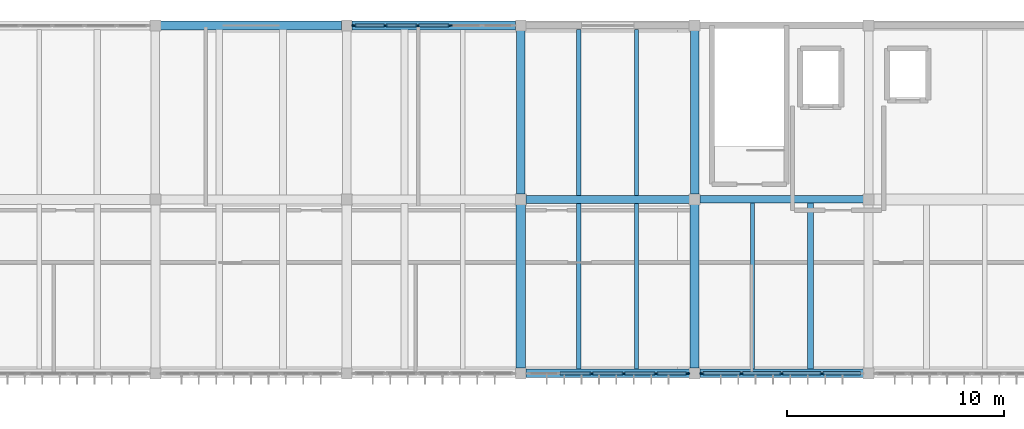
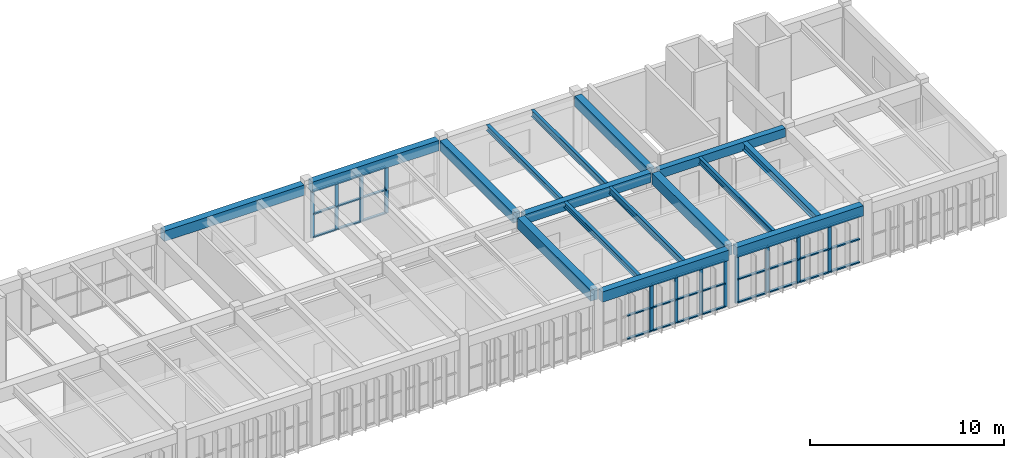
# One storey, part 5 of 12: 45 members, 16 beams, 3 elements without a shape of their own.
"""IFC4 building model written with IfcOpenShell, lengths in metres."""

from ifc_helpers import new_model, si_unit, direction, frame, origin, origin_2d, place, context, subcontext, project, spatial, rectangle, i_section, extrude, material, material_profile, profile_set, type_object, element, aggregate, save


model = new_model("IFC4")

# Units and contexts
model_context = context("Model", 3, precision=1e-05, world=origin(), true_north=direction((0.0, 1.0)))
body_context = subcontext(model_context, "Body", "Model", "MODEL_VIEW")
ifc_project = project(units=[si_unit("LENGTHUNIT", "METRE"), si_unit("AREAUNIT", "SQUARE_METRE"), si_unit("VOLUMEUNIT", "CUBIC_METRE"), si_unit("PLANEANGLEUNIT", "RADIAN"), si_unit("MASSUNIT", "GRAM", prefix="KILO")], contexts=[model_context])

# Site, building, storey
site_placement = place(None, origin())
site = spatial("IfcSite", under=ifc_project, at=site_placement, CompositionType="ELEMENT")
building_placement = place(site_placement, origin())
building = spatial("IfcBuilding", under=site, at=building_placement, Name="Tlaxcora Railside Police Headquarters", CompositionType="ELEMENT")
storey_placement = place(building_placement, frame((0.0, 0.0, 29.699951171875)))
storey = spatial("IfcBuildingStorey", under=building, at=storey_placement, Name="L07", CompositionType="ELEMENT", Elevation=29.699951171875)

# Curtain wall, members
ifc_material_1 = material(Name="Thermally broken low-E insulated glazing", Category="glass")
curtain_wall_type_1 = type_object("IfcCurtainWallType", Name="Unitised Curtain Wall Assembly CW-38", PredefinedType="NOTDEFINED", material=ifc_material_1)
curtain_wall_1_placement = place(storey_placement, origin())
curtain_wall_1 = element("IfcCurtainWall", 1, at=curtain_wall_1_placement, inside=storey, type_object=curtain_wall_type_1, Name="V5 L07 curtain wall 141", PredefinedType="NOTDEFINED")
ifc_material_2 = material(Name="Anodised aluminium framing", Category="aluminium")
ifc_material_profile_1 = material_profile(ifc_material_2, rectangle(XDim=0.074951171875, YDim=0.205078125, at=origin_2d()), Name="AL75X205")
ifc_profile_set_1 = profile_set([ifc_material_profile_1], Name="Anodised aluminium framing")
member_type_1 = type_object("IfcMemberType", Name="Curtain Wall Mullion CW-32", PredefinedType="MULLION", material=ifc_profile_set_1)
member_1_placement = place(storey_placement, frame((58.739990234375, 92.800048828125, 0.0), z_axis=(0.0, 0.0, 1.0), x_axis=(0.0, -1.0, 0.0)))
member_1 = element("IfcMember", 2, at=member_1_placement, type_object=member_type_1, Name="CW mullion 3", PredefinedType="MULLION", context=body_context, shape_type="SweptSolid", body=[
    extrude(rectangle(XDim=0.074951171875, YDim=0.205078125, at=origin_2d()), origin(), (0.0, 0.0, 1.0), 2.9599609375),
])
member_2_placement = place(storey_placement, frame((57.260009765625, 92.800048828125, 0.0), z_axis=(0.0, 0.0, 1.0), x_axis=(0.0, -1.0, 0.0)))
member_2 = element("IfcMember", 3, at=member_2_placement, type_object=member_type_1, Name="CW mullion 4", PredefinedType="MULLION", context=body_context, shape_type="SweptSolid", body=[
    extrude(rectangle(XDim=0.074951171875, YDim=0.205078125, at=origin_2d()), origin(), (0.0, 0.0, 1.0), 2.9599609375),
])
member_3_placement = place(storey_placement, frame((55.780029296875, 92.800048828125, 0.0), z_axis=(0.0, 0.0, 1.0), x_axis=(0.0, -1.0, 0.0)))
member_3 = element("IfcMember", 4, at=member_3_placement, type_object=member_type_1, Name="CW mullion 5", PredefinedType="MULLION", context=body_context, shape_type="SweptSolid", body=[
    extrude(rectangle(XDim=0.074951171875, YDim=0.205078125, at=origin_2d()), origin(), (0.0, 0.0, 1.0), 2.9599609375),
])
member_4_placement = place(storey_placement, frame((54.33740234375, 92.800048828125, 0.0), z_axis=(0.0, 0.0, 1.0), x_axis=(0.0, -1.0, 0.0)))
member_4 = element("IfcMember", 5, at=member_4_placement, type_object=member_type_1, Name="CW mullion 6", PredefinedType="MULLION", context=body_context, shape_type="SweptSolid", body=[
    extrude(rectangle(XDim=0.074951171875, YDim=0.205078125, at=origin_2d()), origin(), (0.0, 0.0, 1.0), 2.9599609375),
])

curtain_wall_type_2 = type_object("IfcCurtainWallType", Name="Unitised Curtain Wall Assembly CW-15", PredefinedType="NOTDEFINED", material=ifc_material_1)
curtain_wall_2_placement = place(storey_placement, origin())
curtain_wall_2 = element("IfcCurtainWall", 6, at=curtain_wall_2_placement, inside=storey, type_object=curtain_wall_type_2, Name="V5 L07 curtain wall 138", PredefinedType="NOTDEFINED")
ifc_material_profile_2 = material_profile(ifc_material_2, rectangle(XDim=0.074951171875, YDim=0.199951171875, at=origin_2d()), Name="AL75X200")
ifc_profile_set_2 = profile_set([ifc_material_profile_2], Name="Anodised aluminium framing")
member_type_2 = type_object("IfcMemberType", Name="Curtain Wall Mullion CW-58", PredefinedType="MULLION", material=ifc_profile_set_2)
member_5_placement = place(storey_placement, frame((65.260009765625, 76.800048828125, 0.0), z_axis=(0.0, 0.0, 1.0), x_axis=(0.0, 1.0, 0.0)))
member_5 = element("IfcMember", 7, at=member_5_placement, type_object=member_type_2, Name="CW mullion 3", PredefinedType="MULLION", context=body_context, shape_type="SweptSolid", body=[
    extrude(rectangle(XDim=0.074951171875, YDim=0.199951171875, at=origin_2d()), origin(), (0.0, 0.0, 1.0), 2.9599609375),
])
member_6_placement = place(storey_placement, frame((66.739990234375, 76.800048828125, 0.0), z_axis=(0.0, 0.0, 1.0), x_axis=(0.0, 1.0, 0.0)))
member_6 = element("IfcMember", 8, at=member_6_placement, type_object=member_type_2, Name="CW mullion 4", PredefinedType="MULLION", context=body_context, shape_type="SweptSolid", body=[
    extrude(rectangle(XDim=0.074951171875, YDim=0.199951171875, at=origin_2d()), origin(), (0.0, 0.0, 1.0), 2.9599609375),
])
member_7_placement = place(storey_placement, frame((68.219970703125, 76.800048828125, 0.0), z_axis=(0.0, 0.0, 1.0), x_axis=(0.0, 1.0, 0.0)))
member_7 = element("IfcMember", 9, at=member_7_placement, type_object=member_type_2, Name="CW mullion 5", PredefinedType="MULLION", context=body_context, shape_type="SweptSolid", body=[
    extrude(rectangle(XDim=0.074951171875, YDim=0.199951171875, at=origin_2d()), origin(), (0.0, 0.0, 1.0), 2.9599609375),
])
member_8_placement = place(storey_placement, frame((69.66259765625, 76.800048828125, 0.0), z_axis=(0.0, 0.0, 1.0), x_axis=(0.0, 1.0, 0.0)))
member_8 = element("IfcMember", 10, at=member_8_placement, type_object=member_type_2, Name="CW mullion 6", PredefinedType="MULLION", context=body_context, shape_type="SweptSolid", body=[
    extrude(rectangle(XDim=0.074951171875, YDim=0.199951171875, at=origin_2d()), origin(), (0.0, 0.0, 1.0), 2.9599609375),
])

curtain_wall_type_3 = type_object("IfcCurtainWallType", Name="Unitised Curtain Wall Assembly CW-83", PredefinedType="NOTDEFINED", material=ifc_material_1)
curtain_wall_3_placement = place(storey_placement, origin())
curtain_wall_3 = element("IfcCurtainWall", 11, at=curtain_wall_3_placement, inside=storey, type_object=curtain_wall_type_3, Name="V5 L07 curtain wall 139", PredefinedType="NOTDEFINED")
ifc_material_profile_3 = material_profile(ifc_material_2, rectangle(XDim=0.080078125, YDim=0.2099609375, at=origin_2d()), Name="AL80X210")
ifc_profile_set_3 = profile_set([ifc_material_profile_3], Name="Anodised aluminium framing")
member_type_3 = type_object("IfcMemberType", Name="Curtain Wall Mullion CW-76", PredefinedType="MULLION", material=ifc_profile_set_3)
member_9_placement = place(storey_placement, frame((70.340087890625, 76.800048828125, 0.0), z_axis=(0.0, 0.0, 1.0), x_axis=(0.0, 1.0, 0.0)))
member_9 = element("IfcMember", 12, at=member_9_placement, type_object=member_type_3, Name="CW mullion 1", PredefinedType="MULLION", context=body_context, shape_type="SweptSolid", body=[
    extrude(rectangle(XDim=0.080078125, YDim=0.2099609375, at=origin_2d()), origin(), (0.0, 0.0, 1.0), 2.9599609375),
])
member_10_placement = place(storey_placement, frame((72.14990234375, 76.800048828125, 0.0), z_axis=(0.0, 0.0, 1.0), x_axis=(0.0, 1.0, 0.0)))
member_10 = element("IfcMember", 13, at=member_10_placement, type_object=member_type_3, Name="CW mullion 2", PredefinedType="MULLION", context=body_context, shape_type="SweptSolid", body=[
    extrude(rectangle(XDim=0.080078125, YDim=0.2099609375, at=origin_2d()), origin(), (0.0, 0.0, 1.0), 2.9599609375),
])
member_11_placement = place(storey_placement, frame((74.0, 76.800048828125, 0.0), z_axis=(0.0, 0.0, 1.0), x_axis=(0.0, 1.0, 0.0)))
member_11 = element("IfcMember", 14, at=member_11_placement, type_object=member_type_3, Name="CW mullion 3", PredefinedType="MULLION", context=body_context, shape_type="SweptSolid", body=[
    extrude(rectangle(XDim=0.080078125, YDim=0.2099609375, at=origin_2d()), origin(), (0.0, 0.0, 1.0), 2.9599609375),
])
member_12_placement = place(storey_placement, frame((75.85009765625, 76.800048828125, 0.0), z_axis=(0.0, 0.0, 1.0), x_axis=(0.0, 1.0, 0.0)))
member_12 = element("IfcMember", 15, at=member_12_placement, type_object=member_type_3, Name="CW mullion 4", PredefinedType="MULLION", context=body_context, shape_type="SweptSolid", body=[
    extrude(rectangle(XDim=0.080078125, YDim=0.2099609375, at=origin_2d()), origin(), (0.0, 0.0, 1.0), 2.9599609375),
])

# Member
ifc_material_profile_4 = material_profile(ifc_material_2, rectangle(XDim=0.14990234375, YDim=0.074951171875, at=origin_2d()), Name="AL75X150")
ifc_profile_set_4 = profile_set([ifc_material_profile_4], Name="Anodised aluminium framing")
member_type_4 = type_object("IfcMemberType", Name="Curtain Wall Transom CW-28", PredefinedType="USERDEFINED", material=ifc_profile_set_4)
member_13_placement = place(storey_placement, frame((63.8173828125, 76.800048828125, 0.03759765625), z_axis=(1.0, 0.0, 0.0), x_axis=(0.0, 1.0, 0.0)))
member_13 = element("IfcMember", 16, at=member_13_placement, type_object=member_type_4, Name="CW transom 2.1", ObjectType="TRANSOM", PredefinedType="USERDEFINED", context=body_context, shape_type="SweptSolid", body=[
    extrude(rectangle(XDim=0.14990234375, YDim=0.074951171875, at=origin_2d()), origin(), (0.0, 0.0, 1.0), 1.405029296875),
])

member_14_placement = place(storey_placement, frame((63.8173828125, 76.800048828125, 1.489990234375), z_axis=(1.0, 0.0, 0.0), x_axis=(0.0, 1.0, 0.0)))
member_14 = element("IfcMember", 17, at=member_14_placement, type_object=member_type_4, Name="CW transom 2.2", ObjectType="TRANSOM", PredefinedType="USERDEFINED", context=body_context, shape_type="SweptSolid", body=[
    extrude(rectangle(XDim=0.14990234375, YDim=0.074951171875, at=origin_2d()), origin(), (0.0, 0.0, 1.0), 1.405029296875),
])

member_15_placement = place(storey_placement, frame((63.8173828125, 76.800048828125, 2.922607421875), z_axis=(1.0, 0.0, 0.0), x_axis=(0.0, 1.0, 0.0)))
member_15 = element("IfcMember", 18, at=member_15_placement, type_object=member_type_4, Name="CW transom 2.3", ObjectType="TRANSOM", PredefinedType="USERDEFINED", context=body_context, shape_type="SweptSolid", body=[
    extrude(rectangle(XDim=0.14990234375, YDim=0.074951171875, at=origin_2d()), origin(), (0.0, 0.0, 1.0), 1.405029296875),
])

member_16_placement = place(storey_placement, frame((65.297607421875, 76.800048828125, 0.03759765625), z_axis=(1.0, 0.0, 0.0), x_axis=(0.0, 1.0, 0.0)))
member_16 = element("IfcMember", 19, at=member_16_placement, type_object=member_type_4, Name="CW transom 3.1", ObjectType="TRANSOM", PredefinedType="USERDEFINED", context=body_context, shape_type="SweptSolid", body=[
    extrude(rectangle(XDim=0.14990234375, YDim=0.074951171875, at=origin_2d()), origin(), (0.0, 0.0, 1.0), 1.40478515625),
])

member_17_placement = place(storey_placement, frame((65.297607421875, 76.800048828125, 1.489990234375), z_axis=(1.0, 0.0, 0.0), x_axis=(0.0, 1.0, 0.0)))
member_17 = element("IfcMember", 20, at=member_17_placement, type_object=member_type_4, Name="CW transom 3.2", ObjectType="TRANSOM", PredefinedType="USERDEFINED", context=body_context, shape_type="SweptSolid", body=[
    extrude(rectangle(XDim=0.14990234375, YDim=0.074951171875, at=origin_2d()), origin(), (0.0, 0.0, 1.0), 1.40478515625),
])

member_18_placement = place(storey_placement, frame((65.297607421875, 76.800048828125, 2.922607421875), z_axis=(1.0, 0.0, 0.0), x_axis=(0.0, 1.0, 0.0)))
member_18 = element("IfcMember", 21, at=member_18_placement, type_object=member_type_4, Name="CW transom 3.3", ObjectType="TRANSOM", PredefinedType="USERDEFINED", context=body_context, shape_type="SweptSolid", body=[
    extrude(rectangle(XDim=0.14990234375, YDim=0.074951171875, at=origin_2d()), origin(), (0.0, 0.0, 1.0), 1.40478515625),
])

member_19_placement = place(storey_placement, frame((66.777587890625, 76.800048828125, 0.03759765625), z_axis=(1.0, 0.0, 0.0), x_axis=(0.0, 1.0, 0.0)))
member_19 = element("IfcMember", 22, at=member_19_placement, type_object=member_type_4, Name="CW transom 4.1", ObjectType="TRANSOM", PredefinedType="USERDEFINED", context=body_context, shape_type="SweptSolid", body=[
    extrude(rectangle(XDim=0.14990234375, YDim=0.074951171875, at=origin_2d()), origin(), (0.0, 0.0, 1.0), 1.405029296875),
])

member_20_placement = place(storey_placement, frame((66.777587890625, 76.800048828125, 1.489990234375), z_axis=(1.0, 0.0, 0.0), x_axis=(0.0, 1.0, 0.0)))
member_20 = element("IfcMember", 23, at=member_20_placement, type_object=member_type_4, Name="CW transom 4.2", ObjectType="TRANSOM", PredefinedType="USERDEFINED", context=body_context, shape_type="SweptSolid", body=[
    extrude(rectangle(XDim=0.14990234375, YDim=0.074951171875, at=origin_2d()), origin(), (0.0, 0.0, 1.0), 1.405029296875),
])

member_21_placement = place(storey_placement, frame((66.777587890625, 76.800048828125, 2.922607421875), z_axis=(1.0, 0.0, 0.0), x_axis=(0.0, 1.0, 0.0)))
member_21 = element("IfcMember", 24, at=member_21_placement, type_object=member_type_4, Name="CW transom 4.3", ObjectType="TRANSOM", PredefinedType="USERDEFINED", context=body_context, shape_type="SweptSolid", body=[
    extrude(rectangle(XDim=0.14990234375, YDim=0.074951171875, at=origin_2d()), origin(), (0.0, 0.0, 1.0), 1.405029296875),
])

member_22_placement = place(storey_placement, frame((68.257568359375, 76.800048828125, 0.03759765625), z_axis=(1.0, 0.0, 0.0), x_axis=(0.0, 1.0, 0.0)))
member_22 = element("IfcMember", 25, at=member_22_placement, type_object=member_type_4, Name="CW transom 5.1", ObjectType="TRANSOM", PredefinedType="USERDEFINED", context=body_context, shape_type="SweptSolid", body=[
    extrude(rectangle(XDim=0.14990234375, YDim=0.074951171875, at=origin_2d()), origin(), (0.0, 0.0, 1.0), 1.367431640625),
])

member_23_placement = place(storey_placement, frame((68.257568359375, 76.800048828125, 1.489990234375), z_axis=(1.0, 0.0, 0.0), x_axis=(0.0, 1.0, 0.0)))
member_23 = element("IfcMember", 26, at=member_23_placement, type_object=member_type_4, Name="CW transom 5.2", ObjectType="TRANSOM", PredefinedType="USERDEFINED", context=body_context, shape_type="SweptSolid", body=[
    extrude(rectangle(XDim=0.14990234375, YDim=0.074951171875, at=origin_2d()), origin(), (0.0, 0.0, 1.0), 1.367431640625),
])

member_24_placement = place(storey_placement, frame((68.257568359375, 76.800048828125, 2.922607421875), z_axis=(1.0, 0.0, 0.0), x_axis=(0.0, 1.0, 0.0)))
member_24 = element("IfcMember", 27, at=member_24_placement, type_object=member_type_4, Name="CW transom 5.3", ObjectType="TRANSOM", PredefinedType="USERDEFINED", context=body_context, shape_type="SweptSolid", body=[
    extrude(rectangle(XDim=0.14990234375, YDim=0.074951171875, at=origin_2d()), origin(), (0.0, 0.0, 1.0), 1.367431640625),
])

aggregate(curtain_wall_2, [member_5, member_6, member_7, member_8, member_13, member_14, member_15, member_16, member_17, member_18, member_19, member_20, member_21, member_22, member_23, member_24])

ifc_material_profile_5 = material_profile(ifc_material_2, rectangle(XDim=0.155029296875, YDim=0.074951171875, at=origin_2d()), Name="AL75X155")
ifc_profile_set_5 = profile_set([ifc_material_profile_5], Name="Anodised aluminium framing")
member_type_5 = type_object("IfcMemberType", Name="Curtain Wall Transom CW-30", PredefinedType="USERDEFINED", material=ifc_profile_set_5)
member_25_placement = place(storey_placement, frame((58.702392578125, 92.800048828125, 0.03759765625), z_axis=(-1.0, 0.0, 0.0), x_axis=(0.0, -1.0, 0.0)))
member_25 = element("IfcMember", 28, at=member_25_placement, type_object=member_type_5, Name="CW transom 3.1", ObjectType="TRANSOM", PredefinedType="USERDEFINED", context=body_context, shape_type="SweptSolid", body=[
    extrude(rectangle(XDim=0.155029296875, YDim=0.074951171875, at=origin_2d()), origin(), (0.0, 0.0, 1.0), 1.40478515625),
])

member_26_placement = place(storey_placement, frame((58.702392578125, 92.800048828125, 1.489990234375), z_axis=(-1.0, 0.0, 0.0), x_axis=(0.0, -1.0, 0.0)))
member_26 = element("IfcMember", 29, at=member_26_placement, type_object=member_type_5, Name="CW transom 3.2", ObjectType="TRANSOM", PredefinedType="USERDEFINED", context=body_context, shape_type="SweptSolid", body=[
    extrude(rectangle(XDim=0.155029296875, YDim=0.074951171875, at=origin_2d()), origin(), (0.0, 0.0, 1.0), 1.40478515625),
])

member_27_placement = place(storey_placement, frame((58.702392578125, 92.800048828125, 2.922607421875), z_axis=(-1.0, 0.0, 0.0), x_axis=(0.0, -1.0, 0.0)))
member_27 = element("IfcMember", 30, at=member_27_placement, type_object=member_type_5, Name="CW transom 3.3", ObjectType="TRANSOM", PredefinedType="USERDEFINED", context=body_context, shape_type="SweptSolid", body=[
    extrude(rectangle(XDim=0.155029296875, YDim=0.074951171875, at=origin_2d()), origin(), (0.0, 0.0, 1.0), 1.40478515625),
])

member_28_placement = place(storey_placement, frame((57.222412109375, 92.800048828125, 0.03759765625), z_axis=(-1.0, 0.0, 0.0), x_axis=(0.0, -1.0, 0.0)))
member_28 = element("IfcMember", 31, at=member_28_placement, type_object=member_type_5, Name="CW transom 4.1", ObjectType="TRANSOM", PredefinedType="USERDEFINED", context=body_context, shape_type="SweptSolid", body=[
    extrude(rectangle(XDim=0.155029296875, YDim=0.074951171875, at=origin_2d()), origin(), (0.0, 0.0, 1.0), 1.405029296875),
])

member_29_placement = place(storey_placement, frame((57.222412109375, 92.800048828125, 1.489990234375), z_axis=(-1.0, 0.0, 0.0), x_axis=(0.0, -1.0, 0.0)))
member_29 = element("IfcMember", 32, at=member_29_placement, type_object=member_type_5, Name="CW transom 4.2", ObjectType="TRANSOM", PredefinedType="USERDEFINED", context=body_context, shape_type="SweptSolid", body=[
    extrude(rectangle(XDim=0.155029296875, YDim=0.074951171875, at=origin_2d()), origin(), (0.0, 0.0, 1.0), 1.405029296875),
])

member_30_placement = place(storey_placement, frame((57.222412109375, 92.800048828125, 2.922607421875), z_axis=(-1.0, 0.0, 0.0), x_axis=(0.0, -1.0, 0.0)))
member_30 = element("IfcMember", 33, at=member_30_placement, type_object=member_type_5, Name="CW transom 4.3", ObjectType="TRANSOM", PredefinedType="USERDEFINED", context=body_context, shape_type="SweptSolid", body=[
    extrude(rectangle(XDim=0.155029296875, YDim=0.074951171875, at=origin_2d()), origin(), (0.0, 0.0, 1.0), 1.405029296875),
])

member_31_placement = place(storey_placement, frame((55.742431640625, 92.800048828125, 0.03759765625), z_axis=(-1.0, 0.0, 0.0), x_axis=(0.0, -1.0, 0.0)))
member_31 = element("IfcMember", 34, at=member_31_placement, type_object=member_type_5, Name="CW transom 5.1", ObjectType="TRANSOM", PredefinedType="USERDEFINED", context=body_context, shape_type="SweptSolid", body=[
    extrude(rectangle(XDim=0.155029296875, YDim=0.074951171875, at=origin_2d()), origin(), (0.0, 0.0, 1.0), 1.367431640625),
])

member_32_placement = place(storey_placement, frame((55.742431640625, 92.800048828125, 1.489990234375), z_axis=(-1.0, 0.0, 0.0), x_axis=(0.0, -1.0, 0.0)))
member_32 = element("IfcMember", 35, at=member_32_placement, type_object=member_type_5, Name="CW transom 5.2", ObjectType="TRANSOM", PredefinedType="USERDEFINED", context=body_context, shape_type="SweptSolid", body=[
    extrude(rectangle(XDim=0.155029296875, YDim=0.074951171875, at=origin_2d()), origin(), (0.0, 0.0, 1.0), 1.367431640625),
])

member_33_placement = place(storey_placement, frame((55.742431640625, 92.800048828125, 2.922607421875), z_axis=(-1.0, 0.0, 0.0), x_axis=(0.0, -1.0, 0.0)))
member_33 = element("IfcMember", 36, at=member_33_placement, type_object=member_type_5, Name="CW transom 5.3", ObjectType="TRANSOM", PredefinedType="USERDEFINED", context=body_context, shape_type="SweptSolid", body=[
    extrude(rectangle(XDim=0.155029296875, YDim=0.074951171875, at=origin_2d()), origin(), (0.0, 0.0, 1.0), 1.367431640625),
])

aggregate(curtain_wall_1, [member_1, member_2, member_3, member_4, member_25, member_26, member_27, member_28, member_29, member_30, member_31, member_32, member_33])

ifc_material_profile_6 = material_profile(ifc_material_2, rectangle(XDim=0.159912109375, YDim=0.080078125, at=origin_2d()), Name="AL80X160")
ifc_profile_set_6 = profile_set([ifc_material_profile_6], Name="Anodised aluminium framing")
member_type_6 = type_object("IfcMemberType", Name="Curtain Wall Transom CW-82", PredefinedType="USERDEFINED", material=ifc_profile_set_6)
member_34_placement = place(storey_placement, frame((70.3798828125, 76.800048828125, 0.0400390625), z_axis=(1.0, 0.0, 0.0), x_axis=(0.0, 1.0, 0.0)))
member_34 = element("IfcMember", 37, at=member_34_placement, type_object=member_type_6, Name="CW transom 1.1", ObjectType="TRANSOM", PredefinedType="USERDEFINED", context=body_context, shape_type="SweptSolid", body=[
    extrude(rectangle(XDim=0.159912109375, YDim=0.080078125, at=origin_2d()), origin(), (0.0, 0.0, 1.0), 1.730224609375),
])

member_35_placement = place(storey_placement, frame((70.3798828125, 76.800048828125, 1.489990234375), z_axis=(1.0, 0.0, 0.0), x_axis=(0.0, 1.0, 0.0)))
member_35 = element("IfcMember", 38, at=member_35_placement, type_object=member_type_6, Name="CW transom 1.2", ObjectType="TRANSOM", PredefinedType="USERDEFINED", context=body_context, shape_type="SweptSolid", body=[
    extrude(rectangle(XDim=0.159912109375, YDim=0.080078125, at=origin_2d()), origin(), (0.0, 0.0, 1.0), 1.730224609375),
])

member_36_placement = place(storey_placement, frame((70.3798828125, 76.800048828125, 2.920166015625), z_axis=(1.0, 0.0, 0.0), x_axis=(0.0, 1.0, 0.0)))
member_36 = element("IfcMember", 39, at=member_36_placement, type_object=member_type_6, Name="CW transom 1.3", ObjectType="TRANSOM", PredefinedType="USERDEFINED", context=body_context, shape_type="SweptSolid", body=[
    extrude(rectangle(XDim=0.159912109375, YDim=0.080078125, at=origin_2d()), origin(), (0.0, 0.0, 1.0), 1.730224609375),
])

member_37_placement = place(storey_placement, frame((72.18994140625, 76.800048828125, 0.0400390625), z_axis=(1.0, 0.0, 0.0), x_axis=(0.0, 1.0, 0.0)))
member_37 = element("IfcMember", 40, at=member_37_placement, type_object=member_type_6, Name="CW transom 2.1", ObjectType="TRANSOM", PredefinedType="USERDEFINED", context=body_context, shape_type="SweptSolid", body=[
    extrude(rectangle(XDim=0.159912109375, YDim=0.080078125, at=origin_2d()), origin(), (0.0, 0.0, 1.0), 1.77001953125),
])

member_38_placement = place(storey_placement, frame((72.18994140625, 76.800048828125, 1.489990234375), z_axis=(1.0, 0.0, 0.0), x_axis=(0.0, 1.0, 0.0)))
member_38 = element("IfcMember", 41, at=member_38_placement, type_object=member_type_6, Name="CW transom 2.2", ObjectType="TRANSOM", PredefinedType="USERDEFINED", context=body_context, shape_type="SweptSolid", body=[
    extrude(rectangle(XDim=0.159912109375, YDim=0.080078125, at=origin_2d()), origin(), (0.0, 0.0, 1.0), 1.77001953125),
])

member_39_placement = place(storey_placement, frame((72.18994140625, 76.800048828125, 2.920166015625), z_axis=(1.0, 0.0, 0.0), x_axis=(0.0, 1.0, 0.0)))
member_39 = element("IfcMember", 42, at=member_39_placement, type_object=member_type_6, Name="CW transom 2.3", ObjectType="TRANSOM", PredefinedType="USERDEFINED", context=body_context, shape_type="SweptSolid", body=[
    extrude(rectangle(XDim=0.159912109375, YDim=0.080078125, at=origin_2d()), origin(), (0.0, 0.0, 1.0), 1.77001953125),
])

member_40_placement = place(storey_placement, frame((74.0400390625, 76.800048828125, 0.0400390625), z_axis=(1.0, 0.0, 0.0), x_axis=(0.0, 1.0, 0.0)))
member_40 = element("IfcMember", 43, at=member_40_placement, type_object=member_type_6, Name="CW transom 3.1", ObjectType="TRANSOM", PredefinedType="USERDEFINED", context=body_context, shape_type="SweptSolid", body=[
    extrude(rectangle(XDim=0.159912109375, YDim=0.080078125, at=origin_2d()), origin(), (0.0, 0.0, 1.0), 1.77001953125),
])

member_41_placement = place(storey_placement, frame((74.0400390625, 76.800048828125, 1.489990234375), z_axis=(1.0, 0.0, 0.0), x_axis=(0.0, 1.0, 0.0)))
member_41 = element("IfcMember", 44, at=member_41_placement, type_object=member_type_6, Name="CW transom 3.2", ObjectType="TRANSOM", PredefinedType="USERDEFINED", context=body_context, shape_type="SweptSolid", body=[
    extrude(rectangle(XDim=0.159912109375, YDim=0.080078125, at=origin_2d()), origin(), (0.0, 0.0, 1.0), 1.77001953125),
])

member_42_placement = place(storey_placement, frame((74.0400390625, 76.800048828125, 2.920166015625), z_axis=(1.0, 0.0, 0.0), x_axis=(0.0, 1.0, 0.0)))
member_42 = element("IfcMember", 45, at=member_42_placement, type_object=member_type_6, Name="CW transom 3.3", ObjectType="TRANSOM", PredefinedType="USERDEFINED", context=body_context, shape_type="SweptSolid", body=[
    extrude(rectangle(XDim=0.159912109375, YDim=0.080078125, at=origin_2d()), origin(), (0.0, 0.0, 1.0), 1.77001953125),
])

member_43_placement = place(storey_placement, frame((75.889892578125, 76.800048828125, 0.0400390625), z_axis=(1.0, 0.0, 0.0), x_axis=(0.0, 1.0, 0.0)))
member_43 = element("IfcMember", 46, at=member_43_placement, type_object=member_type_6, Name="CW transom 4.1", ObjectType="TRANSOM", PredefinedType="USERDEFINED", context=body_context, shape_type="SweptSolid", body=[
    extrude(rectangle(XDim=0.159912109375, YDim=0.080078125, at=origin_2d()), origin(), (0.0, 0.0, 1.0), 1.730224609375),
])

member_44_placement = place(storey_placement, frame((75.889892578125, 76.800048828125, 1.489990234375), z_axis=(1.0, 0.0, 0.0), x_axis=(0.0, 1.0, 0.0)))
member_44 = element("IfcMember", 47, at=member_44_placement, type_object=member_type_6, Name="CW transom 4.2", ObjectType="TRANSOM", PredefinedType="USERDEFINED", context=body_context, shape_type="SweptSolid", body=[
    extrude(rectangle(XDim=0.159912109375, YDim=0.080078125, at=origin_2d()), origin(), (0.0, 0.0, 1.0), 1.730224609375),
])

member_45_placement = place(storey_placement, frame((75.889892578125, 76.800048828125, 2.920166015625), z_axis=(1.0, 0.0, 0.0), x_axis=(0.0, 1.0, 0.0)))
member_45 = element("IfcMember", 48, at=member_45_placement, type_object=member_type_6, Name="CW transom 4.3", ObjectType="TRANSOM", PredefinedType="USERDEFINED", context=body_context, shape_type="SweptSolid", body=[
    extrude(rectangle(XDim=0.159912109375, YDim=0.080078125, at=origin_2d()), origin(), (0.0, 0.0, 1.0), 1.730224609375),
])

aggregate(curtain_wall_3, [member_9, member_10, member_11, member_12, member_34, member_35, member_36, member_37, member_38, member_39, member_40, member_41, member_42, member_43, member_44, member_45])

# Beams
ifc_material_3 = material(Name="Concrete C40/50", Category="concrete")
ifc_material_profile_7 = material_profile(ifc_material_3, rectangle(XDim=0.39990234375, YDim=0.64990234375, at=origin_2d()), Name="RC400X650")
ifc_profile_set_7 = profile_set([ifc_material_profile_7], Name="Concrete C40/50")
beam_type_1 = type_object("IfcBeamType", Name="Perimeter Spandrel Beam BM-46", PredefinedType="SPANDREL", material=ifc_profile_set_7)
for number, where, z_axis, x_axis, name in (
    (49, (62.239990234375, 76.800048828125, 3.304931640625), (1.0, 0.0, 0.0), (0.0, 1.0, 0.0), "V5 L07 X-girder Y=76.8"),
    (50, (70.239990234375, 76.800048828125, 3.304931640625), (1.0, 0.0, 0.0), (0.0, 1.0, 0.0), "V5 L07 X-girder Y=76.8"),
):
    element("IfcBeam", number, at=place(storey_placement, frame(where, z_axis=z_axis, x_axis=x_axis)), inside=storey, type_object=beam_type_1, Name=name, PredefinedType="SPANDREL", context=body_context, shape_type="SweptSolid", body=[
        extrude(rectangle(XDim=0.39990234375, YDim=0.64990234375, at=origin_2d()), origin(), (0.0, 0.0, 1.0), 7.52001953125),
    ])
beam_1_placement = place(storey_placement, frame((45.43994140625, 92.800048828125, 3.304931640625), z_axis=(1.0, 0.0, 0.0), x_axis=(0.0, 1.0, 0.0)))
element("IfcBeam", 51, at=beam_1_placement, inside=storey, type_object=beam_type_1, Name="V5 L07 X-girder Y=92.8", PredefinedType="SPANDREL", context=body_context, shape_type="SweptSolid", body=[
    extrude(rectangle(XDim=0.39990234375, YDim=0.64990234375, at=origin_2d()), origin(), (0.0, 0.0, 1.0), 8.320068359375),
])
beam_2_placement = place(storey_placement, frame((54.239990234375, 92.800048828125, 3.304931640625), z_axis=(1.0, 0.0, 0.0), x_axis=(0.0, 1.0, 0.0)))
element("IfcBeam", 52, at=beam_2_placement, inside=storey, type_object=beam_type_1, Name="V5 L07 X-girder Y=92.8", PredefinedType="SPANDREL", context=body_context, shape_type="SweptSolid", body=[
    extrude(rectangle(XDim=0.39990234375, YDim=0.64990234375, at=origin_2d()), origin(), (0.0, 0.0, 1.0), 7.52001953125),
])
ifc_material_profile_8 = material_profile(ifc_material_3, rectangle(XDim=0.3798828125, YDim=0.60009765625, at=origin_2d()), Name="RC380X600")
ifc_profile_set_8 = profile_set([ifc_material_profile_8], Name="Concrete C40/50")
beam_type_2 = type_object("IfcBeamType", Name="Primary Frame Girder BM-22", PredefinedType="BEAM", material=ifc_profile_set_8)
beam_3_placement = place(storey_placement, frame((62.239990234375, 84.800048828125, 3.330078125), z_axis=(1.0, 0.0, 0.0), x_axis=(0.0, 1.0, 0.0)))
element("IfcBeam", 53, at=beam_3_placement, inside=storey, type_object=beam_type_2, Name="V5 L07 X-girder Y=84.8", PredefinedType="BEAM", context=body_context, shape_type="SweptSolid", body=[
    extrude(rectangle(XDim=0.3798828125, YDim=0.60009765625, at=origin_2d()), origin(), (0.0, 0.0, 1.0), 7.52001953125),
])
ifc_material_profile_9 = material_profile(ifc_material_3, rectangle(XDim=0.419921875, YDim=0.699951171875, at=origin_2d()), Name="RC420X700")
ifc_profile_set_9 = profile_set([ifc_material_profile_9], Name="Concrete C40/50")
beam_type_3 = type_object("IfcBeamType", Name="Primary Frame Girder BM-35", PredefinedType="BEAM", material=ifc_profile_set_9)
for number, where, z_axis, x_axis, name in (
    (54, (62.0, 77.0400390625, 3.280029296875), (0.0, 1.0, 0.0), (-1.0, 0.0, 0.0), "V5 L07 Y-girder X=62.0"),
    (55, (70.0, 77.0400390625, 3.280029296875), (0.0, 1.0, 0.0), (-1.0, 0.0, 0.0), "V5 L07 Y-girder X=70.0"),
):
    element("IfcBeam", number, at=place(storey_placement, frame(where, z_axis=z_axis, x_axis=x_axis)), inside=storey, type_object=beam_type_3, Name=name, PredefinedType="BEAM", context=body_context, shape_type="SweptSolid", body=[
        extrude(rectangle(XDim=0.419921875, YDim=0.699951171875, at=origin_2d()), origin(), (0.0, 0.0, 1.0), 7.52001953125),
    ])
ifc_material_profile_10 = material_profile(ifc_material_3, rectangle(XDim=0.35009765625, YDim=0.550048828125, at=origin_2d()), Name="RC350X550")
ifc_profile_set_10 = profile_set([ifc_material_profile_10], Name="Concrete C40/50")
beam_type_4 = type_object("IfcBeamType", Name="Primary Frame Girder BM-39", PredefinedType="BEAM", material=ifc_profile_set_10)
beam_4_placement = place(storey_placement, frame((70.239990234375, 84.800048828125, 3.35498046875), z_axis=(1.0, 0.0, 0.0), x_axis=(0.0, 1.0, 0.0)))
element("IfcBeam", 56, at=beam_4_placement, inside=storey, type_object=beam_type_4, Name="V5 L07 X-girder Y=84.8", PredefinedType="BEAM", context=body_context, shape_type="SweptSolid", body=[
    extrude(rectangle(XDim=0.35009765625, YDim=0.550048828125, at=origin_2d()), origin(), (0.0, 0.0, 1.0), 7.52001953125),
])
ifc_material_profile_11 = material_profile(ifc_material_3, rectangle(XDim=0.39990234375, YDim=0.64990234375, at=origin_2d()), Name="RC400X650")
ifc_profile_set_11 = profile_set([ifc_material_profile_11], Name="Concrete C40/50")
beam_type_5 = type_object("IfcBeamType", Name="Primary Frame Girder BM-41", PredefinedType="BEAM", material=ifc_profile_set_11)
for number, where, z_axis, x_axis, name in (
    (57, (62.0, 85.0400390625, 3.304931640625), (0.0, 1.0, 0.0), (-1.0, 0.0, 0.0), "V5 L07 Y-girder X=62.0"),
    (58, (70.0, 85.0400390625, 3.304931640625), (0.0, 1.0, 0.0), (-1.0, 0.0, 0.0), "V5 L07 Y-girder X=70.0"),
):
    element("IfcBeam", number, at=place(storey_placement, frame(where, z_axis=z_axis, x_axis=x_axis)), inside=storey, type_object=beam_type_5, Name=name, PredefinedType="BEAM", context=body_context, shape_type="SweptSolid", body=[
        extrude(rectangle(XDim=0.39990234375, YDim=0.64990234375, at=origin_2d()), origin(), (0.0, 0.0, 1.0), 7.52001953125),
    ])
ifc_material_4 = material(Name="Steel ASTM A992 Grade 50", Category="steel")
ifc_material_profile_12 = material_profile(ifc_material_4, i_section(OverallWidth=0.280029296875, OverallDepth=0.4619140625, WebThickness=0.0107421875, FlangeThickness=0.017333984375, at=origin_2d()), Name="W18X76")
ifc_profile_set_12 = profile_set([ifc_material_profile_12], Name="Steel ASTM A992 Grade 50")
beam_type_6 = type_object("IfcBeamType", Name="Secondary Floor Joist BM-44", PredefinedType="JOIST", material=ifc_profile_set_12)
beam_5_placement = place(storey_placement, frame((75.333251953125, 76.991943359375, 3.399169921875), z_axis=(0.0, 1.0, 0.0), x_axis=(-1.0, 0.0, 0.0)))
element("IfcBeam", 59, at=beam_5_placement, inside=storey, type_object=beam_type_6, Name="V5 L07 floor joist X=75.33", PredefinedType="JOIST", context=body_context, shape_type="SweptSolid", body=[
    extrude(i_section(OverallWidth=0.280029296875, OverallDepth=0.4619140625, WebThickness=0.0107421875, FlangeThickness=0.017333984375, at=origin_2d()), origin(), (0.0, 0.0, 1.0), 7.64111328125),
])
ifc_material_profile_13 = material_profile(ifc_material_4, i_section(OverallWidth=0.2041015625, OverallDepth=0.35009765625, WebThickness=0.008544921875, FlangeThickness=0.01513671875, at=origin_2d()), Name="W14X48")
ifc_profile_set_13 = profile_set([ifc_material_profile_13], Name="Steel ASTM A992 Grade 50")
beam_type_7 = type_object("IfcBeamType", Name="Secondary Floor Joist BM-65", PredefinedType="JOIST", material=ifc_profile_set_13)
for number, where, z_axis, x_axis, name in (
    (60, (64.666748046875, 76.991943359375, 3.455078125), (0.0, 1.0, 0.0), (-1.0, 0.0, 0.0), "V5 L07 floor joist X=64.67"),
    (61, (64.666748046875, 84.98193359375, 3.455078125), (0.0, 1.0, 0.0), (-1.0, 0.0, 0.0), "V5 L07 floor joist X=64.67"),
):
    element("IfcBeam", number, at=place(storey_placement, frame(where, z_axis=z_axis, x_axis=x_axis)), inside=storey, type_object=beam_type_7, Name=name, PredefinedType="JOIST", context=body_context, shape_type="SweptSolid", body=[
        extrude(i_section(OverallWidth=0.2041015625, OverallDepth=0.35009765625, WebThickness=0.008544921875, FlangeThickness=0.01513671875, at=origin_2d()), origin(), (0.0, 0.0, 1.0), 7.6259765625),
    ])
ifc_material_profile_14 = material_profile(ifc_material_4, i_section(OverallWidth=0.180908203125, OverallDepth=0.4169921875, WebThickness=0.010009765625, FlangeThickness=0.018310546875, at=origin_2d()), Name="W16X57")
ifc_profile_set_14 = profile_set([ifc_material_profile_14], Name="Steel ASTM A992 Grade 50")
beam_type_8 = type_object("IfcBeamType", Name="Secondary Floor Joist BM-84", PredefinedType="JOIST", material=ifc_profile_set_14)
beam_6_placement = place(storey_placement, frame((67.333251953125, 76.991943359375, 3.421630859375), z_axis=(0.0, 1.0, 0.0), x_axis=(-1.0, 0.0, 0.0)))
element("IfcBeam", 62, at=beam_6_placement, inside=storey, type_object=beam_type_8, Name="V5 L07 floor joist X=67.33", PredefinedType="JOIST", context=body_context, shape_type="SweptSolid", body=[
    extrude(i_section(OverallWidth=0.180908203125, OverallDepth=0.4169921875, WebThickness=0.010009765625, FlangeThickness=0.018310546875, at=origin_2d()), origin(), (0.0, 0.0, 1.0), 7.6259765625),
])
beam_7_placement = place(storey_placement, frame((72.666748046875, 76.991943359375, 3.421630859375), z_axis=(0.0, 1.0, 0.0), x_axis=(-1.0, 0.0, 0.0)))
element("IfcBeam", 63, at=beam_7_placement, inside=storey, type_object=beam_type_8, Name="V5 L07 floor joist X=72.67", PredefinedType="JOIST", context=body_context, shape_type="SweptSolid", body=[
    extrude(i_section(OverallWidth=0.180908203125, OverallDepth=0.4169921875, WebThickness=0.010009765625, FlangeThickness=0.018310546875, at=origin_2d()), origin(), (0.0, 0.0, 1.0), 7.64111328125),
])
beam_8_placement = place(storey_placement, frame((67.333251953125, 84.98193359375, 3.421630859375), z_axis=(0.0, 1.0, 0.0), x_axis=(-1.0, 0.0, 0.0)))
element("IfcBeam", 64, at=beam_8_placement, inside=storey, type_object=beam_type_8, Name="V5 L07 floor joist X=67.33", PredefinedType="JOIST", context=body_context, shape_type="SweptSolid", body=[
    extrude(i_section(OverallWidth=0.180908203125, OverallDepth=0.4169921875, WebThickness=0.010009765625, FlangeThickness=0.018310546875, at=origin_2d()), origin(), (0.0, 0.0, 1.0), 7.6259765625),
])

save(model, "model.ifc")
